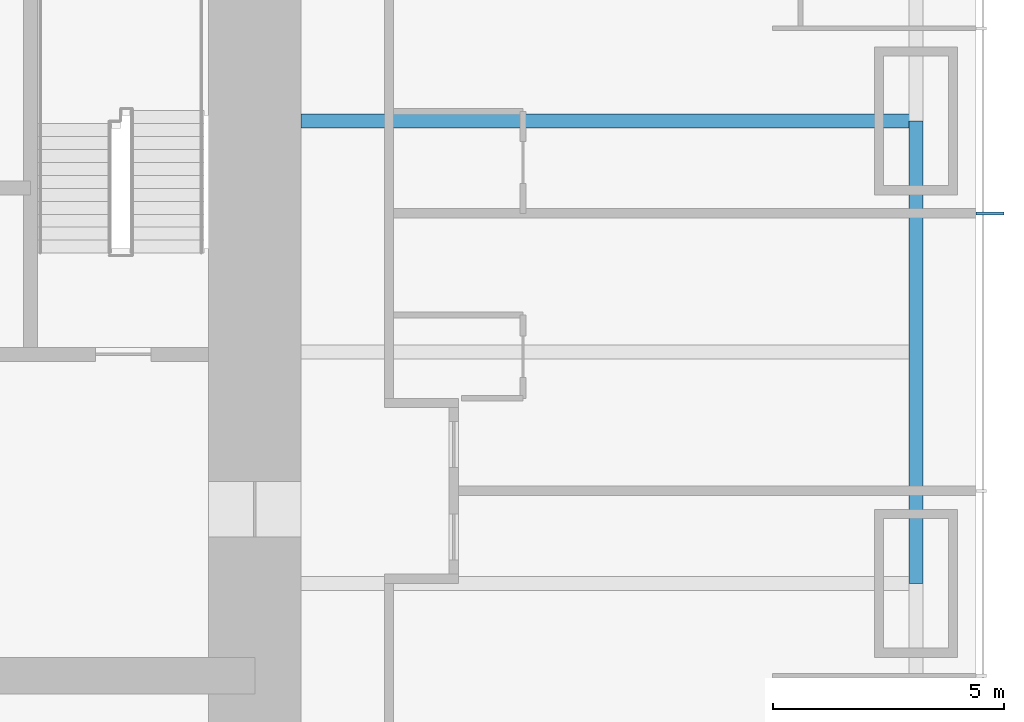
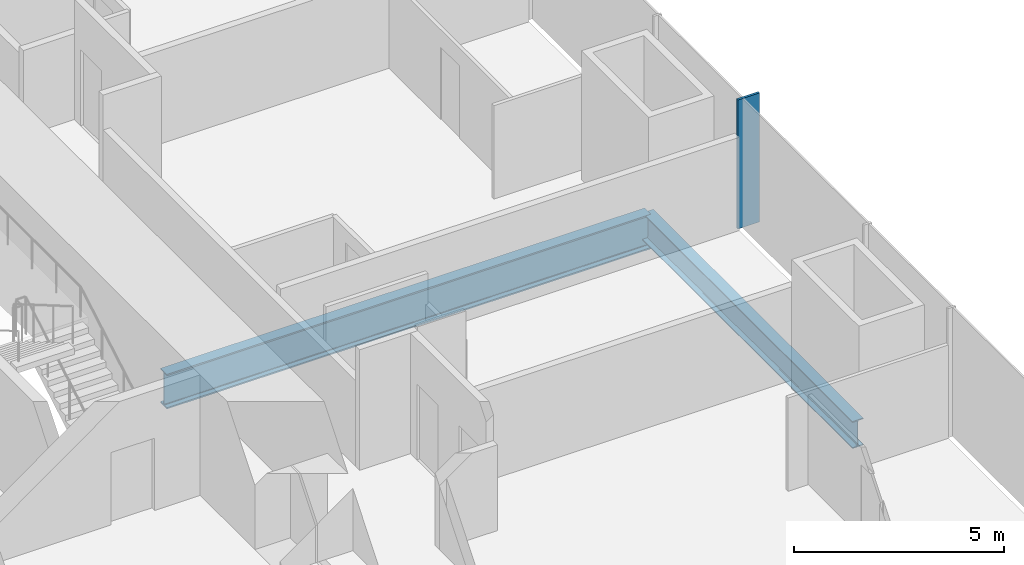
# One storey, part 5 of 17: 2 beams, 1 member, 1 element without a shape of its own.
"""IFC4 building model written with IfcOpenShell, lengths in metres."""

import ifcopenshell
import ifcopenshell.guid

model = None  # the IFC model being written
_history = None  # IfcOwnerHistory: only IFC2X3 demands one
_inside = {}  # id of a spatial element -> (the spatial element, [elements in it])
_under = {}  # id of a project, library or spatial element -> (it, [spatial elements below it])
_declared = {}  # id of a project -> (the project, [libraries it declares])
_typed = {}  # id of a type object -> (the type object, [elements of that type])
_made_of = {}  # id of a material, layer set ... -> (it, [elements and type objects made of it])


def new_model(schema):
    """Start an empty IFC model of exactly this schema.

    Asked for "IFC4X3", IfcOpenShell would pick the latest addendum, in which some entities
    have other attributes; the version numbers below select the first issue.
    IFC2X3 requires an IfcOwnerHistory on every rooted entity: one is made here for all.
    """
    global model, _history
    if schema == "IFC4X3":
        model = ifcopenshell.file(schema_version=(4, 3, 0, 0))
    else:
        model = ifcopenshell.file(schema=schema)
    _inside.clear()
    _under.clear()
    _declared.clear()
    _typed.clear()
    _made_of.clear()
    _history = None
    if model.schema == "IFC2X3":
        org = make("IfcOrganization", Name="unknown")
        user = make(
            "IfcPersonAndOrganization",
            ThePerson=make("IfcPerson", FamilyName="unknown"),
            TheOrganization=org,
        )
        app = make(
            "IfcApplication",
            ApplicationDeveloper=org,
            Version="unknown",
            ApplicationFullName="unknown",
            ApplicationIdentifier="unknown",
        )
        _history = make(
            "IfcOwnerHistory",
            OwningUser=user,
            OwningApplication=app,
            ChangeAction="ADDED",
            CreationDate=0,
        )
    return model


def make(cls, **values):
    """One entity of the class cls with the attributes given. An attribute that is None is left unset."""
    return model.create_entity(
        cls, **{name: value for name, value in values.items() if value is not None}
    )


def rooted(cls, **values):
    """An entity with a GlobalId (a new one), such as an element, a storey or a relation."""
    return make(cls, GlobalId=ifcopenshell.guid.new(), OwnerHistory=_history, **values)


def si_unit(unit_type, name, prefix=None):
    """IfcSIUnit, for example si_unit("LENGTHUNIT", "METRE", prefix="MILLI")."""
    return make("IfcSIUnit", UnitType=unit_type, Prefix=prefix, Name=name)


def assignment(units):
    """IfcUnitAssignment: the units of a project."""
    return None if units is None else make("IfcUnitAssignment", Units=units)


def point(xyz):
    """IfcCartesianPoint."""
    return None if xyz is None else make("IfcCartesianPoint", Coordinates=xyz)


def direction(xyz):
    """IfcDirection."""
    return None if xyz is None else make("IfcDirection", DirectionRatios=xyz)


def frame(location, z_axis=None, x_axis=None):
    """IfcAxis2Placement3D, a coordinate frame: its origin and axes. An axis left out is left unset."""
    return make(
        "IfcAxis2Placement3D",
        Location=point(location),
        Axis=direction(z_axis),
        RefDirection=direction(x_axis),
    )


def frame_2d(location, x_axis=None):
    """IfcAxis2Placement2D, a coordinate frame in the plane: its origin and x axis."""
    return make(
        "IfcAxis2Placement2D", Location=point(location), RefDirection=direction(x_axis)
    )


def origin():
    """The frame at (0, 0, 0) with its axes left unset."""
    return frame((0.0, 0.0, 0.0))


def origin_2d():
    """The frame at (0, 0) in the plane with its x axis left unset."""
    return frame_2d((0.0, 0.0))


def place(relative_to, where):
    """IfcLocalPlacement: puts the frame where relative to a parent placement (None: the world)."""
    return make(
        "IfcLocalPlacement", PlacementRelTo=relative_to, RelativePlacement=where
    )


def context(
    kind, dimensions, precision=None, world=None, true_north=None, identifier=None
):
    """IfcGeometricRepresentationContext, for example the 3D "Model" context."""
    return make(
        "IfcGeometricRepresentationContext",
        ContextIdentifier=identifier,
        ContextType=kind,
        CoordinateSpaceDimension=dimensions,
        Precision=precision,
        WorldCoordinateSystem=world,
        TrueNorth=true_north,
    )


def subcontext(parent, identifier, kind, view, scale=None):
    """IfcGeometricRepresentationSubContext, for example "Body" below "Model"."""
    return make(
        "IfcGeometricRepresentationSubContext",
        ContextIdentifier=identifier,
        ContextType=kind,
        ParentContext=parent,
        TargetScale=scale,
        TargetView=view,
    )


def project(units=None, contexts=None):
    """IfcProject with its units and contexts."""
    return rooted(
        "IfcProject",
        Name="project",
        RepresentationContexts=contexts,
        UnitsInContext=assignment(units),
    )


def spatial(cls, under=None, at=None, **own):
    """A site, building, storey or space (cls), placed at a placement, below another one or the project."""
    s = rooted(cls, ObjectPlacement=at, **own)
    if under is not None:
        _under.setdefault(under.id(), (under, []))[1].append(s)
    return s


def profile(cls, at=None, kind="AREA", **sizes):
    """A parametric profile (cls). Its sizes go by their IFC names, for example OverallWidth=200.0."""
    return make(cls, ProfileType=kind, Position=at, **sizes)


def rectangle(**sizes):
    """IfcRectangleProfileDef."""
    return profile("IfcRectangleProfileDef", **sizes)


def i_section(**sizes):
    """IfcIShapeProfileDef."""
    return profile("IfcIShapeProfileDef", **sizes)


def extrude(swept, where, along, depth):
    """IfcExtrudedAreaSolid: the profile swept, set in the frame where, extruded along a direction by depth."""
    return make(
        "IfcExtrudedAreaSolid",
        SweptArea=swept,
        Position=where,
        ExtrudedDirection=direction(along),
        Depth=depth,
    )


def shape(context_of_items, identifier, shape_type, items):
    """IfcShapeRepresentation: the items that make up one representation, for example the "Body"."""
    return make(
        "IfcShapeRepresentation",
        ContextOfItems=context_of_items,
        RepresentationIdentifier=identifier,
        RepresentationType=shape_type,
        Items=items,
    )


def material(Name=None, Category=None):
    """IfcMaterial."""
    return make("IfcMaterial", Name=Name, Category=Category)


def material_profile(
    of_material, cross_section, Name=None, Category=None, Priority=None
):
    """IfcMaterialProfile: a cross section and its material."""
    return make(
        "IfcMaterialProfile",
        Name=Name,
        Material=of_material,
        Profile=cross_section,
        Priority=Priority,
        Category=Category,
    )


def profile_set(profiles, Name=None, composite=None):
    """IfcMaterialProfileSet."""
    return make(
        "IfcMaterialProfileSet",
        Name=Name,
        MaterialProfiles=profiles,
        CompositeProfile=composite,
    )


def made_of(thing, what):
    """Note that an element or type object is made of a material, layer set ...; save() writes the relation."""
    if what is not None:
        _made_of.setdefault(what.id(), (what, []))[1].append(thing)
    return thing


def type_object(cls, material=None, **own):
    """A type object (cls), such as IfcWallType, which elements share."""
    return made_of(rooted(cls, **own), material)


def element(
    cls,
    number,
    at=None,
    inside=None,
    cuts=None,
    type_object=None,
    material=None,
    context=None,
    identifier="Body",
    shape_type=None,
    held_by="IfcProductDefinitionShape",
    body=None,
    shapes=None,
    **own,
):
    """One element of the class cls, such as IfcWall. Its Tag is "e" and its number.

    at: its placement. inside: the storey or other place that contains it. cuts: it is an
    opening in that element (IfcRelVoidsElement). A single representation is given by context,
    identifier, shape_type and body (its items); several are given by shapes. held_by: the class
    of the entity that holds the representations. save() writes the other relations.
    """
    e = rooted(cls, Tag="e%d" % number, ObjectPlacement=at, **own)
    if body is not None:
        shapes = [shape(context, identifier, shape_type, body)]
    if shapes is not None:
        e.Representation = make(held_by, Representations=shapes)
    if inside is not None:
        _inside.setdefault(inside.id(), (inside, []))[1].append(e)
    if cuts is not None:
        rooted(
            "IfcRelVoidsElement", RelatingBuildingElement=cuts, RelatedOpeningElement=e
        )
    if type_object is not None:
        _typed.setdefault(type_object.id(), (type_object, []))[1].append(e)
    return made_of(e, material)


def aggregate(whole, parts):
    """IfcRelAggregates: a whole, such as a stair, and the parts it consists of."""
    return rooted("IfcRelAggregates", RelatingObject=whole, RelatedObjects=parts)


def save(model, path):
    """Write the relations noted so far, then the file.

    IfcRelAggregates (storeys below a building ...), IfcRelContainedInSpatialStructure (elements
    in a storey), IfcRelDefinesByType, IfcRelAssociatesMaterial and IfcRelDeclares: one each for
    every whole, place, type object, material and project.
    """
    for whole, parts in _under.values():
        aggregate(whole, parts)
    for where, things in _inside.values():
        rooted(
            "IfcRelContainedInSpatialStructure",
            RelatedElements=things,
            RelatingStructure=where,
        )
    for kind, things in _typed.values():
        rooted("IfcRelDefinesByType", RelatedObjects=things, RelatingType=kind)
    for what, things in _made_of.values():
        rooted("IfcRelAssociatesMaterial", RelatedObjects=things, RelatingMaterial=what)
    for by, libraries in _declared.values():
        rooted("IfcRelDeclares", RelatingContext=by, RelatedDefinitions=libraries)
    model.write(path)


model = new_model("IFC4")

# Units and contexts
model_context = context("Model", 3, precision=1e-05, world=origin(), true_north=direction((0.0, 1.0)))
body_context = subcontext(model_context, "Body", "Model", "MODEL_VIEW")
ifc_project = project(units=[si_unit("LENGTHUNIT", "METRE"), si_unit("AREAUNIT", "SQUARE_METRE"), si_unit("VOLUMEUNIT", "CUBIC_METRE"), si_unit("PLANEANGLEUNIT", "RADIAN"), si_unit("MASSUNIT", "GRAM", prefix="KILO")], contexts=[model_context])

# Site, building, storey
site_placement = place(None, origin())
site = spatial("IfcSite", under=ifc_project, at=site_placement, CompositionType="ELEMENT")
building_placement = place(site_placement, origin())
building = spatial("IfcBuilding", under=site, at=building_placement, Name="Khuree Lantern Residences", CompositionType="ELEMENT")
storey_placement = place(building_placement, frame((0.0, 0.0, 77.25)))
storey = spatial("IfcBuildingStorey", under=building, at=storey_placement, Name="L19", CompositionType="ELEMENT", Elevation=77.25)

# Beam
ifc_material_1 = material(Name="Steel S355", Category="steel")
ifc_material_profile_1 = material_profile(ifc_material_1, i_section(OverallWidth=0.300048828125, OverallDepth=0.7900390625, WebThickness=0.014892578125, FlangeThickness=0.028076171875, FilletRadius=0.030029296875, at=origin_2d()), Name="HE 800 A")
ifc_profile_set_1 = profile_set([ifc_material_profile_1], Name="Steel S355")
beam_type_1 = type_object("IfcBeamType", Name="E-14 SPANDREL BEAM HE 800 A", PredefinedType="SPANDREL", material=ifc_profile_set_1)
beam_1_placement = place(storey_placement, frame((29.800048828125, 0.0, -0.64501953125), z_axis=(0.0, -1.0, 0.0), x_axis=(1.0, 0.0, 0.0)))
element("IfcBeam", 1, at=beam_1_placement, inside=storey, type_object=beam_type_1, Name="Spandrel beam E4", PredefinedType="SPANDREL", context=body_context, shape_type="SweptSolid", body=[
    extrude(i_section(OverallWidth=0.300048828125, OverallDepth=0.7900390625, WebThickness=0.014892578125, FlangeThickness=0.028076171875, FilletRadius=0.030029296875, at=origin_2d()), origin(), (0.0, 0.0, 1.0), 10.0),
])

# Curtain wall, member
ifc_material_2 = material(Name="Bronze anodised aluminium", Category="aluminium")
curtain_wall_type = type_object("IfcCurtainWallType", Name="CW-T1 TOWER FACE CURTAIN WALL", PredefinedType="USERDEFINED", material=ifc_material_2)
curtain_wall_placement = place(storey_placement, origin())
curtain_wall = element("IfcCurtainWall", 2, at=curtain_wall_placement, inside=storey, type_object=curtain_wall_type, Name="L19 EAST FACE CURTAIN WALL", ObjectType="Stick-built curtain wall", PredefinedType="USERDEFINED")
ifc_material_profile_2 = material_profile(ifc_material_2, rectangle(XDim=0.06494140625, YDim=0.60009765625, at=origin_2d()), Name="F1 65X600")
ifc_profile_set_2 = profile_set([ifc_material_profile_2], Name="Bronze anodised aluminium")
member_type = type_object("IfcMemberType", Name="F1 BRONZE FIN MULLION TOWER 65X600", PredefinedType="MULLION", material=ifc_profile_set_2)
member_placement = place(storey_placement, frame((31.39990234375, -2.0, 0.0), z_axis=(0.0, 0.0, 1.0), x_axis=(0.0, 1.0, 0.0)))
member = element("IfcMember", 3, at=member_placement, type_object=member_type, Name="L19 EAST FACE FIN MULLION 9", PredefinedType="MULLION", context=body_context, shape_type="SweptSolid", body=[
    extrude(rectangle(XDim=0.06494140625, YDim=0.60009765625, at=origin_2d()), origin(), (0.0, 0.0, 1.0), 3.75),
])
aggregate(curtain_wall, [member])

# Beam
ifc_material_profile_3 = material_profile(ifc_material_1, i_section(OverallWidth=0.302001953125, OverallDepth=1.008056640625, WebThickness=0.02099609375, FlangeThickness=0.0400390625, FilletRadius=0.030029296875, at=origin_2d()), Name="HE 1000 M")
ifc_profile_set_3 = profile_set([ifc_material_profile_3], Name="Steel S355")
beam_type_2 = type_object("IfcBeamType", Name="G-14 GIRDER HE 1000 M", PredefinedType="BEAM", material=ifc_profile_set_3)
beam_2_placement = place(storey_placement, frame((29.800048828125, 0.0, -0.75390625), z_axis=(-1.0, 0.0, 0.0), x_axis=(0.0, -1.0, 0.0)))
element("IfcBeam", 4, at=beam_2_placement, inside=storey, type_object=beam_type_2, Name="Girder E3", PredefinedType="BEAM", context=body_context, shape_type="SweptSolid", body=[
    extrude(i_section(OverallWidth=0.302001953125, OverallDepth=1.008056640625, WebThickness=0.02099609375, FlangeThickness=0.0400390625, FilletRadius=0.030029296875, at=origin_2d()), origin(), (0.0, 0.0, 1.0), 13.300048828125),
])

save(model, "model.ifc")
